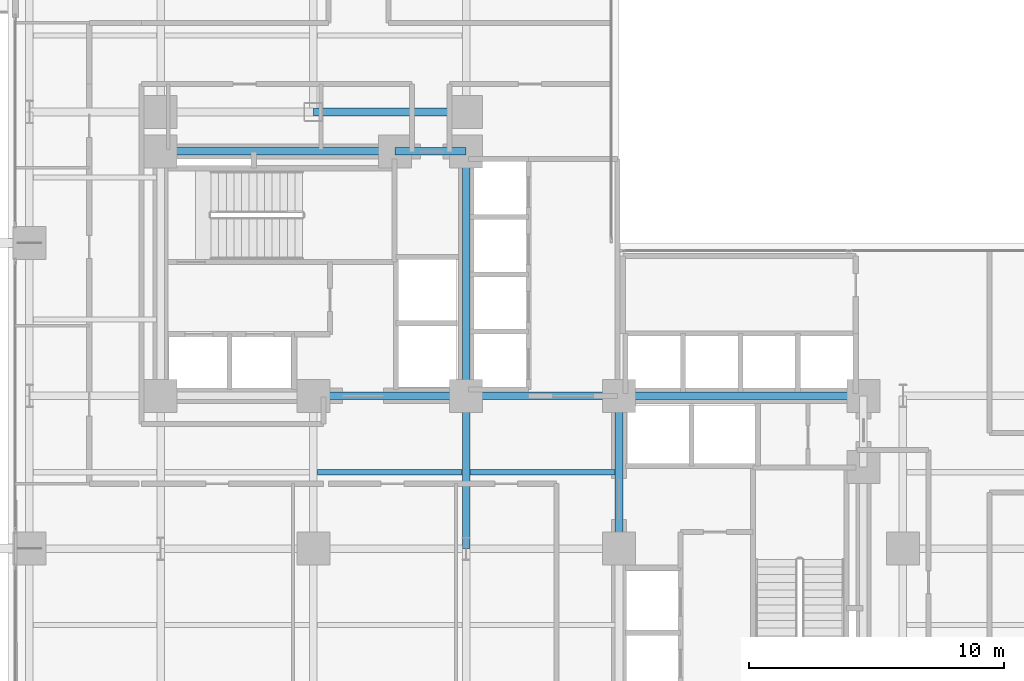
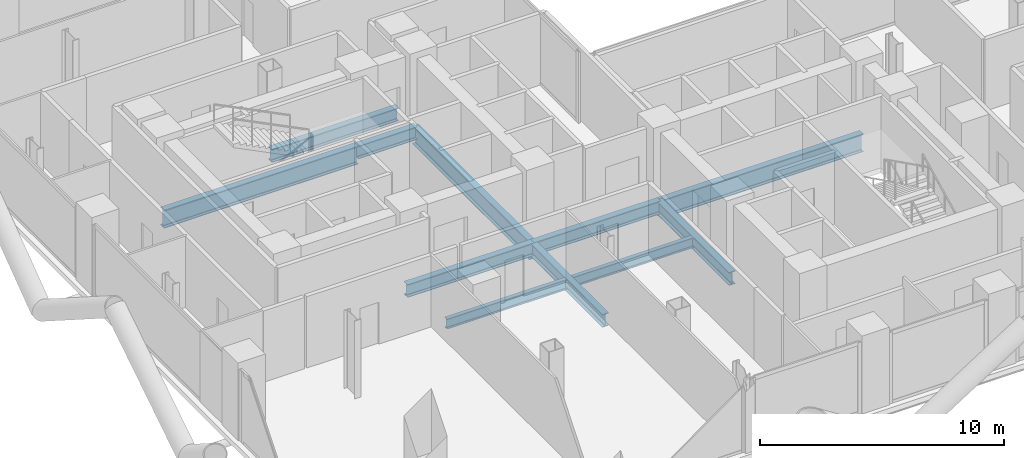
# One storey, part 6 of 27: 11 beams.
"""IFC4 building model written with IfcOpenShell, lengths in metres."""

from ifc_helpers import new_model, si_unit, direction, frame, origin, origin_2d, place, context, subcontext, project, spatial, i_section, extrude, material, material_profile, profile_set, type_object, element, save


model = new_model("IFC4")

# Units and contexts
model_context = context("Model", 3, precision=1e-05, world=origin(), true_north=direction((0.0, 1.0)))
body_context = subcontext(model_context, "Body", "Model", "MODEL_VIEW")
ifc_project = project(units=[si_unit("LENGTHUNIT", "METRE"), si_unit("AREAUNIT", "SQUARE_METRE"), si_unit("VOLUMEUNIT", "CUBIC_METRE"), si_unit("PLANEANGLEUNIT", "RADIAN"), si_unit("MASSUNIT", "GRAM", prefix="KILO"), si_unit("THERMODYNAMICTEMPERATUREUNIT", "KELVIN"), si_unit("POWERUNIT", "WATT")], contexts=[model_context])

# Site, building, storey
site_placement = place(None, origin())
site = spatial("IfcSite", under=ifc_project, at=site_placement, CompositionType="ELEMENT")
building_placement = place(site_placement, origin())
building = spatial("IfcBuilding", under=site, at=building_placement, Name="Svarakhadi Broadcast Tower", CompositionType="ELEMENT")
storey_placement = place(building_placement, frame((0.0, 0.0, 90.89990234375)))
storey = spatial("IfcBuildingStorey", under=building, at=storey_placement, Name="L21", CompositionType="ELEMENT", Elevation=90.89990234375)

# Beams
ifc_material_1 = material(Name="Steel S355J2 (IS 2062 E350C)", Category="steel")
ifc_material_profile_1 = material_profile(ifc_material_1, i_section(OverallWidth=0.199951171875, OverallDepth=0.5, WebThickness=0.01025390625, FlangeThickness=0.01611328125, FilletRadius=0.02099609375, at=origin_2d()), Name="NPB 500x200x91")
ifc_profile_set_1 = profile_set([ifc_material_profile_1], Name="Steel S355J2 (IS 2062 E350C)")
beam_type_1 = type_object("IfcBeamType", Name="Beam_NPB500", PredefinedType="BEAM", material=ifc_profile_set_1)
for number, where, z_axis, x_axis, name in (
    (1, (12.159912109375, 15.0, -0.5), (1.0, 0.0, 0.0), (0.0, 1.0, 0.0), "L21 Secondary Composite Beam SB015"),
    (2, (18.159912109375, 15.0, -0.5), (1.0, 0.0, 0.0), (0.0, 1.0, 0.0), "L21 Secondary Composite Beam SB021"),
):
    element("IfcBeam", number, at=place(storey_placement, frame(where, z_axis=z_axis, x_axis=x_axis)), inside=storey, type_object=beam_type_1, Name=name, PredefinedType="BEAM", context=body_context, shape_type="SweptSolid", body=[
        extrude(i_section(OverallWidth=0.199951171875, OverallDepth=0.5, WebThickness=0.01025390625, FlangeThickness=0.01611328125, FilletRadius=0.02099609375, at=origin_2d()), origin(), (0.0, 0.0, 1.0), 5.68017578125),
    ])
ifc_material_profile_2 = material_profile(ifc_material_1, i_section(OverallWidth=0.300048828125, OverallDepth=0.64990234375, WebThickness=0.01611328125, FlangeThickness=0.031005859375, FilletRadius=0.027099609375, at=origin_2d()), Name="WPB 650x300x225")
ifc_profile_set_2 = profile_set([ifc_material_profile_2], Name="Steel S355J2 (IS 2062 E350C)")
beam_type_2 = type_object("IfcBeamType", Name="Girder_WPB650", PredefinedType="USERDEFINED", material=ifc_profile_set_2)
for number, where, z_axis, x_axis, name in (
    (3, (12.0, 18.0, -0.574951171875), (1.0, 0.0, 0.0), (0.0, 1.0, 0.0), "L21 Primary E-W Girder G027"),
    (4, (18.0, 18.0, -0.574951171875), (1.0, 0.0, 0.0), (0.0, 1.0, 0.0), "L21 Primary E-W Girder G028"),
):
    element("IfcBeam", number, at=place(storey_placement, frame(where, z_axis=z_axis, x_axis=x_axis)), inside=storey, type_object=beam_type_2, Name=name, ObjectType="GIRDER", PredefinedType="USERDEFINED", context=body_context, shape_type="SweptSolid", body=[
        extrude(i_section(OverallWidth=0.300048828125, OverallDepth=0.64990234375, WebThickness=0.01611328125, FlangeThickness=0.031005859375, FilletRadius=0.027099609375, at=origin_2d()), origin(), (0.0, 0.0, 1.0), 6.0),
    ])
beam_1_placement = place(storey_placement, frame((15.199951171875, 27.60009765625, -0.574951171875), z_axis=(1.0, 0.0, 0.0), x_axis=(0.0, 1.0, 0.0)))
element("IfcBeam", 5, at=beam_1_placement, inside=storey, type_object=beam_type_2, Name="L21 Primary E-W Girder G033", ObjectType="GIRDER", PredefinedType="USERDEFINED", context=body_context, shape_type="SweptSolid", body=[
    extrude(i_section(OverallWidth=0.300048828125, OverallDepth=0.64990234375, WebThickness=0.01611328125, FlangeThickness=0.031005859375, FilletRadius=0.027099609375, at=origin_2d()), origin(), (0.0, 0.0, 1.0), 2.800048828125),
])
for number, where, z_axis, x_axis, name in (
    (6, (12.0, 29.14990234375, -0.574951171875), (1.0, 0.0, 0.0), (0.0, 1.0, 0.0), "L21 Primary E-W Girder G036"),
    (7, (18.0, 12.0, -0.574951171875), (0.0, 1.0, 0.0), (-1.0, 0.0, 0.0), "L21 Primary N-S Girder G066"),
    (8, (24.0, 12.0, -0.574951171875), (0.0, 1.0, 0.0), (-1.0, 0.0, 0.0), "L21 Primary N-S Girder G073"),
):
    element("IfcBeam", number, at=place(storey_placement, frame(where, z_axis=z_axis, x_axis=x_axis)), inside=storey, type_object=beam_type_2, Name=name, ObjectType="GIRDER", PredefinedType="USERDEFINED", context=body_context, shape_type="SweptSolid", body=[
        extrude(i_section(OverallWidth=0.300048828125, OverallDepth=0.64990234375, WebThickness=0.01611328125, FlangeThickness=0.031005859375, FilletRadius=0.027099609375, at=origin_2d()), origin(), (0.0, 0.0, 1.0), 6.0),
    ])
ifc_material_2 = material(Name="Steel S460ML (IS 2062 E450BR)", Category="steel")
ifc_material_profile_3 = material_profile(ifc_material_2, i_section(OverallWidth=0.300048828125, OverallDepth=0.89990234375, WebThickness=0.0185546875, FlangeThickness=0.034912109375, FilletRadius=0.030029296875, at=origin_2d()), Name="WPB 900x300x291")
ifc_profile_set_3 = profile_set([ifc_material_profile_3], Name="Steel S460ML (IS 2062 E450BR)")
beam_type_3 = type_object("IfcBeamType", Name="Girder_WPB900", PredefinedType="USERDEFINED", material=ifc_profile_set_3)
beam_2_placement = place(storey_placement, frame((24.0, 18.0, -0.699951171875), z_axis=(1.0, 0.0, 0.0), x_axis=(0.0, 1.0, 0.0)))
element("IfcBeam", 9, at=beam_2_placement, inside=storey, type_object=beam_type_3, Name="L21 Primary E-W Girder G029", ObjectType="GIRDER", PredefinedType="USERDEFINED", context=body_context, shape_type="SweptSolid", body=[
    extrude(i_section(OverallWidth=0.300048828125, OverallDepth=0.89990234375, WebThickness=0.0185546875, FlangeThickness=0.034912109375, FilletRadius=0.030029296875, at=origin_2d()), origin(), (0.0, 0.0, 1.0), 9.60009765625),
])
beam_3_placement = place(storey_placement, frame((6.0, 27.60009765625, -0.699951171875), z_axis=(1.0, 0.0, 0.0), x_axis=(0.0, 1.0, 0.0)))
element("IfcBeam", 10, at=beam_3_placement, inside=storey, type_object=beam_type_3, Name="L21 Primary E-W Girder G032", ObjectType="GIRDER", PredefinedType="USERDEFINED", context=body_context, shape_type="SweptSolid", body=[
    extrude(i_section(OverallWidth=0.300048828125, OverallDepth=0.89990234375, WebThickness=0.0185546875, FlangeThickness=0.034912109375, FilletRadius=0.030029296875, at=origin_2d()), origin(), (0.0, 0.0, 1.0), 9.199951171875),
])
beam_4_placement = place(storey_placement, frame((18.0, 18.0, -0.699951171875), z_axis=(0.0, 1.0, 0.0), x_axis=(-1.0, 0.0, 0.0)))
element("IfcBeam", 11, at=beam_4_placement, inside=storey, type_object=beam_type_3, Name="L21 Primary N-S Girder G067", ObjectType="GIRDER", PredefinedType="USERDEFINED", context=body_context, shape_type="SweptSolid", body=[
    extrude(i_section(OverallWidth=0.300048828125, OverallDepth=0.89990234375, WebThickness=0.0185546875, FlangeThickness=0.034912109375, FilletRadius=0.030029296875, at=origin_2d()), origin(), (0.0, 0.0, 1.0), 9.60009765625),
])

save(model, "model.ifc")
